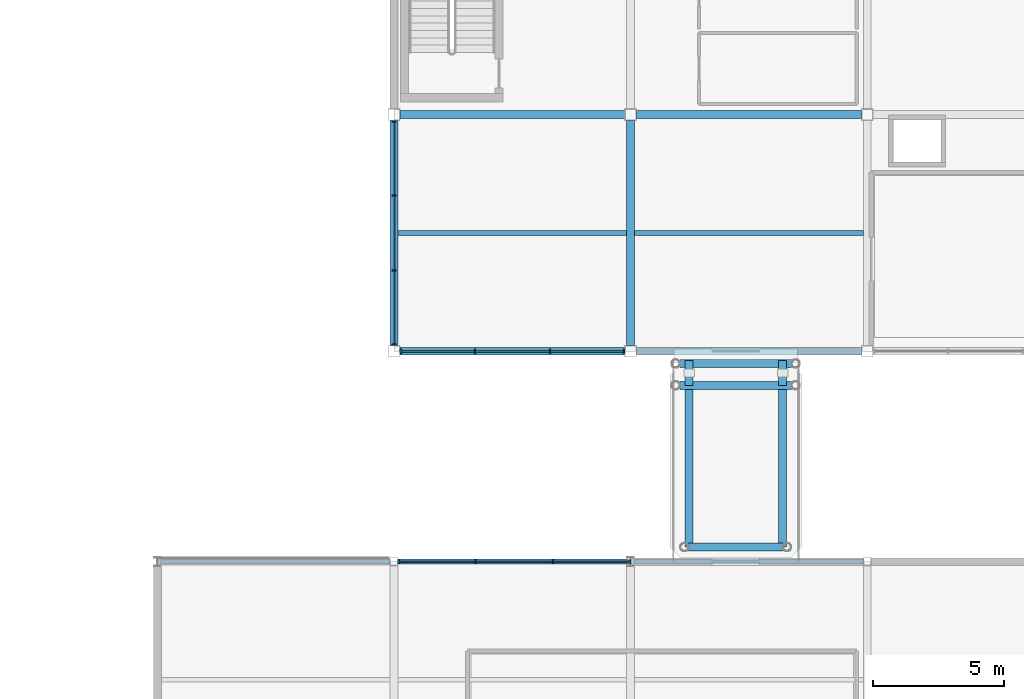
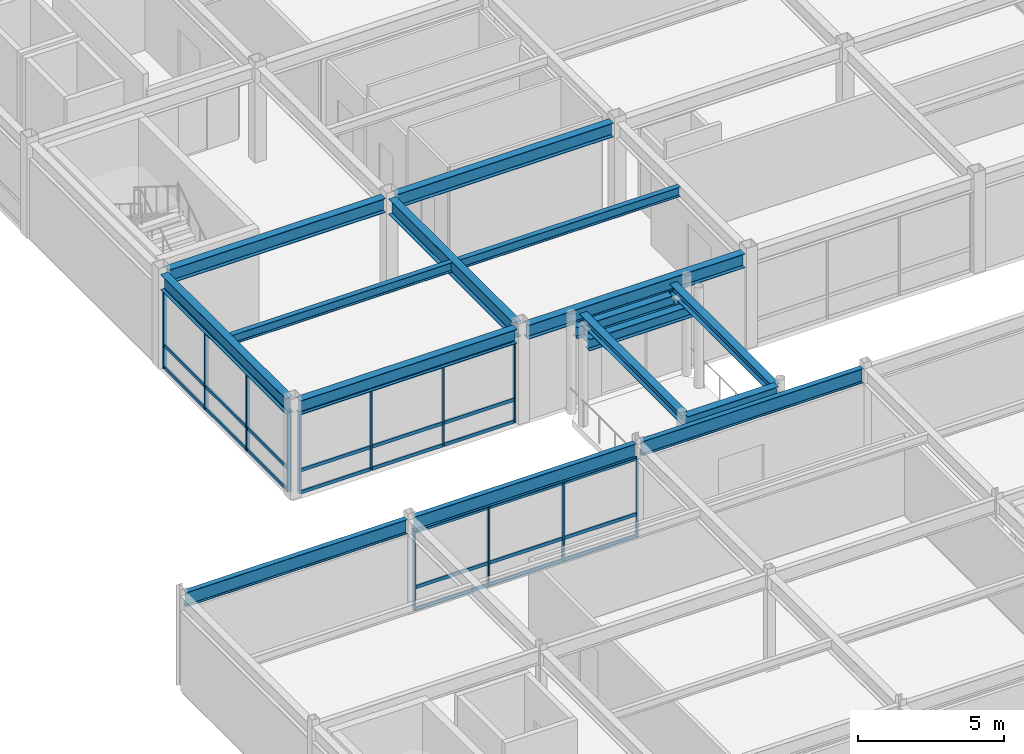
# One storey, part 55 of 108: 39 members, 18 beams, 3 elements without a shape of their own.
"""IFC4 building model written with IfcOpenShell, lengths in metres."""

from ifc_helpers import new_model, si_unit, direction, frame, origin, origin_2d, place, context, subcontext, project, spatial, rectangle, i_section, extrude, material, material_profile, profile_set, type_object, element, aggregate, save


model = new_model("IFC4")

# Units and contexts
model_context = context("Model", 3, precision=1e-05, world=origin(), true_north=direction((0.0, 1.0)))
body_context = subcontext(model_context, "Body", "Model", "MODEL_VIEW")
ifc_project = project(units=[si_unit("LENGTHUNIT", "METRE"), si_unit("AREAUNIT", "SQUARE_METRE"), si_unit("VOLUMEUNIT", "CUBIC_METRE"), si_unit("PLANEANGLEUNIT", "RADIAN"), si_unit("MASSUNIT", "GRAM", prefix="KILO")], contexts=[model_context])

# Site, building, storey
site_placement = place(None, origin())
site = spatial("IfcSite", under=ifc_project, at=site_placement, CompositionType="ELEMENT")
building_placement = place(site_placement, origin())
building = spatial("IfcBuilding", under=site, at=building_placement, Name="Suzunagisa Mobility Hub", CompositionType="ELEMENT")
storey_placement = place(building_placement, frame((0.0, 0.0, 9.300048828125)))
storey = spatial("IfcBuildingStorey", under=building, at=storey_placement, Name="L02", CompositionType="ELEMENT", Elevation=9.300048828125)

# Curtain wall, members
ifc_material_1 = material(Name="Thermally Broken Anodized Aluminum and Low-E Glazing", Category="aluminium")
curtain_wall_type_1 = type_object("IfcCurtainWallType", Name="Unitised Curtain Wall CW-12 8750x3300", PredefinedType="USERDEFINED", material=ifc_material_1)
curtain_wall_1_placement = place(storey_placement, origin())
curtain_wall_1 = element("IfcCurtainWall", 1, at=curtain_wall_1_placement, inside=storey, type_object=curtain_wall_type_1, Name="L02 Unitised Curtain Wall CW-161", ObjectType="UNITISED CURTAIN WALL", PredefinedType="USERDEFINED")
ifc_material_2 = material(Name="Anodized Aluminum 6063-T6", Category="aluminium")
ifc_material_profile_1 = material_profile(ifc_material_2, rectangle(XDim=0.06494140625, YDim=0.139892578125, at=origin_2d()), Name="TRAN-65x140")
ifc_profile_set_1 = profile_set([ifc_material_profile_1], Name="Anodized Aluminum 6063-T6")
member_type_1 = type_object("IfcMemberType", Name="Curtain Wall Framing CM-01 TRAN-65x140", PredefinedType="USERDEFINED", material=ifc_profile_set_1)
member_1_placement = place(storey_placement, frame((152.9375, 36.0, 0.032470703125), z_axis=(-1.0, 0.0, 0.0), x_axis=(0.0, -1.0, 0.0)))
member_1 = element("IfcMember", 2, at=member_1_placement, type_object=member_type_1, Name="Curtain Wall Transom 161-T1.1", ObjectType="TRANSOM", PredefinedType="USERDEFINED", context=body_context, shape_type="SweptSolid", body=[
    extrude(rectangle(XDim=0.06494140625, YDim=0.139892578125, at=origin_2d()), origin(), (0.0, 0.0, 1.0), 2.862548828125),
])
member_2_placement = place(storey_placement, frame((152.9375, 36.0, 0.949951171875), z_axis=(-1.0, 0.0, 0.0), x_axis=(0.0, -1.0, 0.0)))
member_2 = element("IfcMember", 3, at=member_2_placement, type_object=member_type_1, Name="Curtain Wall Transom 161-T1.2", ObjectType="TRANSOM", PredefinedType="USERDEFINED", context=body_context, shape_type="SweptSolid", body=[
    extrude(rectangle(XDim=0.06494140625, YDim=0.139892578125, at=origin_2d()), origin(), (0.0, 0.0, 1.0), 2.862548828125),
])
member_3_placement = place(storey_placement, frame((152.9375, 36.0, 3.267333984375), z_axis=(-1.0, 0.0, 0.0), x_axis=(0.0, -1.0, 0.0)))
member_3 = element("IfcMember", 4, at=member_3_placement, type_object=member_type_1, Name="Curtain Wall Transom 161-T1.3", ObjectType="TRANSOM", PredefinedType="USERDEFINED", context=body_context, shape_type="SweptSolid", body=[
    extrude(rectangle(XDim=0.06494140625, YDim=0.139892578125, at=origin_2d()), origin(), (0.0, 0.0, 1.0), 2.862548828125),
])
member_4_placement = place(storey_placement, frame((150.01904296875, 36.0, 0.032470703125), z_axis=(-1.0, 0.0, 0.0), x_axis=(0.0, -1.0, 0.0)))
member_4 = element("IfcMember", 5, at=member_4_placement, type_object=member_type_1, Name="Curtain Wall Transom 161-T2.1", ObjectType="TRANSOM", PredefinedType="USERDEFINED", context=body_context, shape_type="SweptSolid", body=[
    extrude(rectangle(XDim=0.06494140625, YDim=0.139892578125, at=origin_2d()), origin(), (0.0, 0.0, 1.0), 2.892578125),
])
member_5_placement = place(storey_placement, frame((150.01904296875, 36.0, 0.949951171875), z_axis=(-1.0, 0.0, 0.0), x_axis=(0.0, -1.0, 0.0)))
member_5 = element("IfcMember", 6, at=member_5_placement, type_object=member_type_1, Name="Curtain Wall Transom 161-T2.2", ObjectType="TRANSOM", PredefinedType="USERDEFINED", context=body_context, shape_type="SweptSolid", body=[
    extrude(rectangle(XDim=0.06494140625, YDim=0.139892578125, at=origin_2d()), origin(), (0.0, 0.0, 1.0), 2.892578125),
])
member_6_placement = place(storey_placement, frame((150.01904296875, 36.0, 3.267333984375), z_axis=(-1.0, 0.0, 0.0), x_axis=(0.0, -1.0, 0.0)))
member_6 = element("IfcMember", 7, at=member_6_placement, type_object=member_type_1, Name="Curtain Wall Transom 161-T2.3", ObjectType="TRANSOM", PredefinedType="USERDEFINED", context=body_context, shape_type="SweptSolid", body=[
    extrude(rectangle(XDim=0.06494140625, YDim=0.139892578125, at=origin_2d()), origin(), (0.0, 0.0, 1.0), 2.892578125),
])
member_7_placement = place(storey_placement, frame((147.070556640625, 36.0, 0.032470703125), z_axis=(-1.0, 0.0, 0.0), x_axis=(0.0, -1.0, 0.0)))
member_7 = element("IfcMember", 8, at=member_7_placement, type_object=member_type_1, Name="Curtain Wall Transom 161-T3.1", ObjectType="TRANSOM", PredefinedType="USERDEFINED", context=body_context, shape_type="SweptSolid", body=[
    extrude(rectangle(XDim=0.06494140625, YDim=0.139892578125, at=origin_2d()), origin(), (0.0, 0.0, 1.0), 2.862548828125),
])
member_8_placement = place(storey_placement, frame((147.070556640625, 36.0, 0.949951171875), z_axis=(-1.0, 0.0, 0.0), x_axis=(0.0, -1.0, 0.0)))
member_8 = element("IfcMember", 9, at=member_8_placement, type_object=member_type_1, Name="Curtain Wall Transom 161-T3.2", ObjectType="TRANSOM", PredefinedType="USERDEFINED", context=body_context, shape_type="SweptSolid", body=[
    extrude(rectangle(XDim=0.06494140625, YDim=0.139892578125, at=origin_2d()), origin(), (0.0, 0.0, 1.0), 2.862548828125),
])
member_9_placement = place(storey_placement, frame((147.070556640625, 36.0, 3.267333984375), z_axis=(-1.0, 0.0, 0.0), x_axis=(0.0, -1.0, 0.0)))
member_9 = element("IfcMember", 10, at=member_9_placement, type_object=member_type_1, Name="Curtain Wall Transom 161-T3.3", ObjectType="TRANSOM", PredefinedType="USERDEFINED", context=body_context, shape_type="SweptSolid", body=[
    extrude(rectangle(XDim=0.06494140625, YDim=0.139892578125, at=origin_2d()), origin(), (0.0, 0.0, 1.0), 2.862548828125),
])

curtain_wall_type_2 = type_object("IfcCurtainWallType", Name="Unitised Curtain Wall CW-29 8500x3400", PredefinedType="USERDEFINED", material=ifc_material_1)
curtain_wall_2_placement = place(storey_placement, origin())
curtain_wall_2 = element("IfcCurtainWall", 11, at=curtain_wall_2_placement, inside=storey, type_object=curtain_wall_type_2, Name="L02 Unitised Curtain Wall CW-196", ObjectType="UNITISED CURTAIN WALL", PredefinedType="USERDEFINED")
member_10_placement = place(storey_placement, frame((144.282958984375, 44.0, 0.032470703125), z_axis=(1.0, 0.0, 0.0), x_axis=(0.0, 1.0, 0.0)))
member_10 = element("IfcMember", 12, at=member_10_placement, type_object=member_type_1, Name="Curtain Wall Transom 196-T1.1", ObjectType="TRANSOM", PredefinedType="USERDEFINED", context=body_context, shape_type="SweptSolid", body=[
    extrude(rectangle(XDim=0.06494140625, YDim=0.139892578125, at=origin_2d()), origin(), (0.0, 0.0, 1.0), 2.76416015625),
])
member_11_placement = place(storey_placement, frame((144.282958984375, 44.0, 0.949951171875), z_axis=(1.0, 0.0, 0.0), x_axis=(0.0, 1.0, 0.0)))
member_11 = element("IfcMember", 13, at=member_11_placement, type_object=member_type_1, Name="Curtain Wall Transom 196-T1.2", ObjectType="TRANSOM", PredefinedType="USERDEFINED", context=body_context, shape_type="SweptSolid", body=[
    extrude(rectangle(XDim=0.06494140625, YDim=0.139892578125, at=origin_2d()), origin(), (0.0, 0.0, 1.0), 2.76416015625),
])
member_12_placement = place(storey_placement, frame((144.282958984375, 44.0, 3.329345703125), z_axis=(1.0, 0.0, 0.0), x_axis=(0.0, 1.0, 0.0)))
member_12 = element("IfcMember", 14, at=member_12_placement, type_object=member_type_1, Name="Curtain Wall Transom 196-T1.3", ObjectType="TRANSOM", PredefinedType="USERDEFINED", context=body_context, shape_type="SweptSolid", body=[
    extrude(rectangle(XDim=0.06494140625, YDim=0.139892578125, at=origin_2d()), origin(), (0.0, 0.0, 1.0), 2.76416015625),
])
member_13_placement = place(storey_placement, frame((147.10302734375, 44.0, 0.032470703125), z_axis=(1.0, 0.0, 0.0), x_axis=(0.0, 1.0, 0.0)))
member_13 = element("IfcMember", 15, at=member_13_placement, type_object=member_type_1, Name="Curtain Wall Transom 196-T2.1", ObjectType="TRANSOM", PredefinedType="USERDEFINED", context=body_context, shape_type="SweptSolid", body=[
    extrude(rectangle(XDim=0.06494140625, YDim=0.139892578125, at=origin_2d()), origin(), (0.0, 0.0, 1.0), 2.7939453125),
])
member_14_placement = place(storey_placement, frame((147.10302734375, 44.0, 0.949951171875), z_axis=(1.0, 0.0, 0.0), x_axis=(0.0, 1.0, 0.0)))
member_14 = element("IfcMember", 16, at=member_14_placement, type_object=member_type_1, Name="Curtain Wall Transom 196-T2.2", ObjectType="TRANSOM", PredefinedType="USERDEFINED", context=body_context, shape_type="SweptSolid", body=[
    extrude(rectangle(XDim=0.06494140625, YDim=0.139892578125, at=origin_2d()), origin(), (0.0, 0.0, 1.0), 2.7939453125),
])
member_15_placement = place(storey_placement, frame((147.10302734375, 44.0, 3.329345703125), z_axis=(1.0, 0.0, 0.0), x_axis=(0.0, 1.0, 0.0)))
member_15 = element("IfcMember", 17, at=member_15_placement, type_object=member_type_1, Name="Curtain Wall Transom 196-T2.3", ObjectType="TRANSOM", PredefinedType="USERDEFINED", context=body_context, shape_type="SweptSolid", body=[
    extrude(rectangle(XDim=0.06494140625, YDim=0.139892578125, at=origin_2d()), origin(), (0.0, 0.0, 1.0), 2.7939453125),
])
member_16_placement = place(storey_placement, frame((149.952880859375, 44.0, 0.032470703125), z_axis=(1.0, 0.0, 0.0), x_axis=(0.0, 1.0, 0.0)))
member_16 = element("IfcMember", 18, at=member_16_placement, type_object=member_type_1, Name="Curtain Wall Transom 196-T3.1", ObjectType="TRANSOM", PredefinedType="USERDEFINED", context=body_context, shape_type="SweptSolid", body=[
    extrude(rectangle(XDim=0.06494140625, YDim=0.139892578125, at=origin_2d()), origin(), (0.0, 0.0, 1.0), 2.76416015625),
])
member_17_placement = place(storey_placement, frame((149.952880859375, 44.0, 0.949951171875), z_axis=(1.0, 0.0, 0.0), x_axis=(0.0, 1.0, 0.0)))
member_17 = element("IfcMember", 19, at=member_17_placement, type_object=member_type_1, Name="Curtain Wall Transom 196-T3.2", ObjectType="TRANSOM", PredefinedType="USERDEFINED", context=body_context, shape_type="SweptSolid", body=[
    extrude(rectangle(XDim=0.06494140625, YDim=0.139892578125, at=origin_2d()), origin(), (0.0, 0.0, 1.0), 2.76416015625),
])
member_18_placement = place(storey_placement, frame((149.952880859375, 44.0, 3.329345703125), z_axis=(1.0, 0.0, 0.0), x_axis=(0.0, 1.0, 0.0)))
member_18 = element("IfcMember", 20, at=member_18_placement, type_object=member_type_1, Name="Curtain Wall Transom 196-T3.3", ObjectType="TRANSOM", PredefinedType="USERDEFINED", context=body_context, shape_type="SweptSolid", body=[
    extrude(rectangle(XDim=0.06494140625, YDim=0.139892578125, at=origin_2d()), origin(), (0.0, 0.0, 1.0), 2.76416015625),
])

curtain_wall_type_3 = type_object("IfcCurtainWallType", Name="Unitised Curtain Wall CW-43 8500x3300", PredefinedType="USERDEFINED", material=ifc_material_1)
curtain_wall_3_placement = place(storey_placement, origin())
curtain_wall_3 = element("IfcCurtainWall", 21, at=curtain_wall_3_placement, inside=storey, type_object=curtain_wall_type_3, Name="L02 Unitised Curtain Wall CW-203", ObjectType="UNITISED CURTAIN WALL", PredefinedType="USERDEFINED")
member_19_placement = place(storey_placement, frame((144.0, 52.717041015625, 0.032470703125), z_axis=(0.0, -1.0, 0.0), x_axis=(1.0, 0.0, 0.0)))
member_19 = element("IfcMember", 22, at=member_19_placement, type_object=member_type_1, Name="Curtain Wall Transom 203-T1.1", ObjectType="TRANSOM", PredefinedType="USERDEFINED", context=body_context, shape_type="SweptSolid", body=[
    extrude(rectangle(XDim=0.06494140625, YDim=0.139892578125, at=origin_2d()), origin(), (0.0, 0.0, 1.0), 2.76416015625),
])
member_20_placement = place(storey_placement, frame((144.0, 52.717041015625, 0.949951171875), z_axis=(0.0, -1.0, 0.0), x_axis=(1.0, 0.0, 0.0)))
member_20 = element("IfcMember", 23, at=member_20_placement, type_object=member_type_1, Name="Curtain Wall Transom 203-T1.2", ObjectType="TRANSOM", PredefinedType="USERDEFINED", context=body_context, shape_type="SweptSolid", body=[
    extrude(rectangle(XDim=0.06494140625, YDim=0.139892578125, at=origin_2d()), origin(), (0.0, 0.0, 1.0), 2.76416015625),
])
member_21_placement = place(storey_placement, frame((144.0, 52.717041015625, 3.267333984375), z_axis=(0.0, -1.0, 0.0), x_axis=(1.0, 0.0, 0.0)))
member_21 = element("IfcMember", 24, at=member_21_placement, type_object=member_type_1, Name="Curtain Wall Transom 203-T1.3", ObjectType="TRANSOM", PredefinedType="USERDEFINED", context=body_context, shape_type="SweptSolid", body=[
    extrude(rectangle(XDim=0.06494140625, YDim=0.139892578125, at=origin_2d()), origin(), (0.0, 0.0, 1.0), 2.76416015625),
])
member_22_placement = place(storey_placement, frame((144.0, 49.89697265625, 0.032470703125), z_axis=(0.0, -1.0, 0.0), x_axis=(1.0, 0.0, 0.0)))
member_22 = element("IfcMember", 25, at=member_22_placement, type_object=member_type_1, Name="Curtain Wall Transom 203-T2.1", ObjectType="TRANSOM", PredefinedType="USERDEFINED", context=body_context, shape_type="SweptSolid", body=[
    extrude(rectangle(XDim=0.06494140625, YDim=0.139892578125, at=origin_2d()), origin(), (0.0, 0.0, 1.0), 2.7939453125),
])
member_23_placement = place(storey_placement, frame((144.0, 49.89697265625, 0.949951171875), z_axis=(0.0, -1.0, 0.0), x_axis=(1.0, 0.0, 0.0)))
member_23 = element("IfcMember", 26, at=member_23_placement, type_object=member_type_1, Name="Curtain Wall Transom 203-T2.2", ObjectType="TRANSOM", PredefinedType="USERDEFINED", context=body_context, shape_type="SweptSolid", body=[
    extrude(rectangle(XDim=0.06494140625, YDim=0.139892578125, at=origin_2d()), origin(), (0.0, 0.0, 1.0), 2.7939453125),
])
member_24_placement = place(storey_placement, frame((144.0, 49.89697265625, 3.267333984375), z_axis=(0.0, -1.0, 0.0), x_axis=(1.0, 0.0, 0.0)))
member_24 = element("IfcMember", 27, at=member_24_placement, type_object=member_type_1, Name="Curtain Wall Transom 203-T2.3", ObjectType="TRANSOM", PredefinedType="USERDEFINED", context=body_context, shape_type="SweptSolid", body=[
    extrude(rectangle(XDim=0.06494140625, YDim=0.139892578125, at=origin_2d()), origin(), (0.0, 0.0, 1.0), 2.7939453125),
])
member_25_placement = place(storey_placement, frame((144.0, 47.047119140625, 0.032470703125), z_axis=(0.0, -1.0, 0.0), x_axis=(1.0, 0.0, 0.0)))
member_25 = element("IfcMember", 28, at=member_25_placement, type_object=member_type_1, Name="Curtain Wall Transom 203-T3.1", ObjectType="TRANSOM", PredefinedType="USERDEFINED", context=body_context, shape_type="SweptSolid", body=[
    extrude(rectangle(XDim=0.06494140625, YDim=0.139892578125, at=origin_2d()), origin(), (0.0, 0.0, 1.0), 2.76416015625),
])
member_26_placement = place(storey_placement, frame((144.0, 47.047119140625, 0.949951171875), z_axis=(0.0, -1.0, 0.0), x_axis=(1.0, 0.0, 0.0)))
member_26 = element("IfcMember", 29, at=member_26_placement, type_object=member_type_1, Name="Curtain Wall Transom 203-T3.2", ObjectType="TRANSOM", PredefinedType="USERDEFINED", context=body_context, shape_type="SweptSolid", body=[
    extrude(rectangle(XDim=0.06494140625, YDim=0.139892578125, at=origin_2d()), origin(), (0.0, 0.0, 1.0), 2.76416015625),
])
member_27_placement = place(storey_placement, frame((144.0, 47.047119140625, 3.267333984375), z_axis=(0.0, -1.0, 0.0), x_axis=(1.0, 0.0, 0.0)))
member_27 = element("IfcMember", 30, at=member_27_placement, type_object=member_type_1, Name="Curtain Wall Transom 203-T3.3", ObjectType="TRANSOM", PredefinedType="USERDEFINED", context=body_context, shape_type="SweptSolid", body=[
    extrude(rectangle(XDim=0.06494140625, YDim=0.139892578125, at=origin_2d()), origin(), (0.0, 0.0, 1.0), 2.76416015625),
])

# Member
ifc_material_profile_2 = material_profile(ifc_material_2, rectangle(XDim=0.06005859375, YDim=0.14990234375, at=origin_2d()), Name="MULL-60x150")
ifc_profile_set_2 = profile_set([ifc_material_profile_2], Name="Anodized Aluminum 6063-T6")
member_type_2 = type_object("IfcMemberType", Name="Curtain Wall Framing CM-03 MULL-60x150", PredefinedType="MULLION", material=ifc_profile_set_2)
member_28_placement = place(storey_placement, frame((152.965576171875, 36.0, 0.0), z_axis=(0.0, 0.0, 1.0), x_axis=(-1.0, 0.0, 0.0)))
member_28 = element("IfcMember", 31, at=member_28_placement, type_object=member_type_2, Name="Curtain Wall Mullion 161-M1", PredefinedType="MULLION", context=body_context, shape_type="SweptSolid", body=[
    extrude(rectangle(XDim=0.06005859375, YDim=0.14990234375, at=origin_2d()), origin(), (0.0, 0.0, 1.0), 3.300048828125),
])

member_29_placement = place(storey_placement, frame((150.047119140625, 36.0, 0.0), z_axis=(0.0, 0.0, 1.0), x_axis=(-1.0, 0.0, 0.0)))
member_29 = element("IfcMember", 32, at=member_29_placement, type_object=member_type_2, Name="Curtain Wall Mullion 161-M2", PredefinedType="MULLION", context=body_context, shape_type="SweptSolid", body=[
    extrude(rectangle(XDim=0.06005859375, YDim=0.14990234375, at=origin_2d()), origin(), (0.0, 0.0, 1.0), 3.300048828125),
])

member_30_placement = place(storey_placement, frame((147.098388671875, 36.0, 0.0), z_axis=(0.0, 0.0, 1.0), x_axis=(-1.0, 0.0, 0.0)))
member_30 = element("IfcMember", 33, at=member_30_placement, type_object=member_type_2, Name="Curtain Wall Mullion 161-M3", PredefinedType="MULLION", context=body_context, shape_type="SweptSolid", body=[
    extrude(rectangle(XDim=0.06005859375, YDim=0.14990234375, at=origin_2d()), origin(), (0.0, 0.0, 1.0), 3.300048828125),
])

member_31_placement = place(storey_placement, frame((144.179931640625, 36.0, 0.0), z_axis=(0.0, 0.0, 1.0), x_axis=(-1.0, 0.0, 0.0)))
member_31 = element("IfcMember", 34, at=member_31_placement, type_object=member_type_2, Name="Curtain Wall Mullion 161-M4", PredefinedType="MULLION", context=body_context, shape_type="SweptSolid", body=[
    extrude(rectangle(XDim=0.06005859375, YDim=0.14990234375, at=origin_2d()), origin(), (0.0, 0.0, 1.0), 3.300048828125),
])

aggregate(curtain_wall_1, [member_28, member_29, member_30, member_31, member_1, member_2, member_3, member_4, member_5, member_6, member_7, member_8, member_9])

member_32_placement = place(storey_placement, frame((144.2548828125, 44.0, 0.0), z_axis=(0.0, 0.0, 1.0), x_axis=(1.0, 0.0, 0.0)))
member_32 = element("IfcMember", 35, at=member_32_placement, type_object=member_type_2, Name="Curtain Wall Mullion 196-M1", PredefinedType="MULLION", context=body_context, shape_type="SweptSolid", body=[
    extrude(rectangle(XDim=0.06005859375, YDim=0.14990234375, at=origin_2d()), origin(), (0.0, 0.0, 1.0), 3.362060546875),
])

member_33_placement = place(storey_placement, frame((147.074951171875, 44.0, 0.0), z_axis=(0.0, 0.0, 1.0), x_axis=(1.0, 0.0, 0.0)))
member_33 = element("IfcMember", 36, at=member_33_placement, type_object=member_type_2, Name="Curtain Wall Mullion 196-M2", PredefinedType="MULLION", context=body_context, shape_type="SweptSolid", body=[
    extrude(rectangle(XDim=0.06005859375, YDim=0.14990234375, at=origin_2d()), origin(), (0.0, 0.0, 1.0), 3.362060546875),
])

member_34_placement = place(storey_placement, frame((149.925048828125, 44.0, 0.0), z_axis=(0.0, 0.0, 1.0), x_axis=(1.0, 0.0, 0.0)))
member_34 = element("IfcMember", 37, at=member_34_placement, type_object=member_type_2, Name="Curtain Wall Mullion 196-M3", PredefinedType="MULLION", context=body_context, shape_type="SweptSolid", body=[
    extrude(rectangle(XDim=0.06005859375, YDim=0.14990234375, at=origin_2d()), origin(), (0.0, 0.0, 1.0), 3.362060546875),
])

member_35_placement = place(storey_placement, frame((152.7451171875, 44.0, 0.0), z_axis=(0.0, 0.0, 1.0), x_axis=(1.0, 0.0, 0.0)))
member_35 = element("IfcMember", 38, at=member_35_placement, type_object=member_type_2, Name="Curtain Wall Mullion 196-M4", PredefinedType="MULLION", context=body_context, shape_type="SweptSolid", body=[
    extrude(rectangle(XDim=0.06005859375, YDim=0.14990234375, at=origin_2d()), origin(), (0.0, 0.0, 1.0), 3.362060546875),
])

aggregate(curtain_wall_2, [member_32, member_33, member_34, member_35, member_10, member_11, member_12, member_13, member_14, member_15, member_16, member_17, member_18])

member_36_placement = place(storey_placement, frame((144.0, 52.7451171875, 0.0), z_axis=(0.0, 0.0, 1.0), x_axis=(0.0, -1.0, 0.0)))
member_36 = element("IfcMember", 39, at=member_36_placement, type_object=member_type_2, Name="Curtain Wall Mullion 203-M1", PredefinedType="MULLION", context=body_context, shape_type="SweptSolid", body=[
    extrude(rectangle(XDim=0.06005859375, YDim=0.14990234375, at=origin_2d()), origin(), (0.0, 0.0, 1.0), 3.300048828125),
])

member_37_placement = place(storey_placement, frame((144.0, 49.925048828125, 0.0), z_axis=(0.0, 0.0, 1.0), x_axis=(0.0, -1.0, 0.0)))
member_37 = element("IfcMember", 40, at=member_37_placement, type_object=member_type_2, Name="Curtain Wall Mullion 203-M2", PredefinedType="MULLION", context=body_context, shape_type="SweptSolid", body=[
    extrude(rectangle(XDim=0.06005859375, YDim=0.14990234375, at=origin_2d()), origin(), (0.0, 0.0, 1.0), 3.300048828125),
])

member_38_placement = place(storey_placement, frame((144.0, 47.074951171875, 0.0), z_axis=(0.0, 0.0, 1.0), x_axis=(0.0, -1.0, 0.0)))
member_38 = element("IfcMember", 41, at=member_38_placement, type_object=member_type_2, Name="Curtain Wall Mullion 203-M3", PredefinedType="MULLION", context=body_context, shape_type="SweptSolid", body=[
    extrude(rectangle(XDim=0.06005859375, YDim=0.14990234375, at=origin_2d()), origin(), (0.0, 0.0, 1.0), 3.300048828125),
])

member_39_placement = place(storey_placement, frame((144.0, 44.2548828125, 0.0), z_axis=(0.0, 0.0, 1.0), x_axis=(0.0, -1.0, 0.0)))
member_39 = element("IfcMember", 42, at=member_39_placement, type_object=member_type_2, Name="Curtain Wall Mullion 203-M4", PredefinedType="MULLION", context=body_context, shape_type="SweptSolid", body=[
    extrude(rectangle(XDim=0.06005859375, YDim=0.14990234375, at=origin_2d()), origin(), (0.0, 0.0, 1.0), 3.300048828125),
])

aggregate(curtain_wall_3, [member_36, member_37, member_38, member_39, member_19, member_20, member_21, member_22, member_23, member_24, member_25, member_26, member_27])

# Beams
ifc_material_3 = material(Name="Steel SN490B", Category="steel")
ifc_material_profile_3 = material_profile(ifc_material_3, i_section(OverallWidth=0.300048828125, OverallDepth=0.488037109375, WebThickness=0.010986328125, FlangeThickness=0.01806640625, FilletRadius=0.012939453125, at=origin_2d()), Name="H-488x300x11x18")
ifc_profile_set_3 = profile_set([ifc_material_profile_3], Name="Steel SN490B")
beam_type_1 = type_object("IfcBeamType", Name="Steel Beam BM-06 H-488x300x11x18", PredefinedType="BEAM", material=ifc_profile_set_3)
beam_placement = place(storey_placement, frame((155.2099609375, 36.550048828125, 3.716064453125), z_axis=(1.0, 0.0, 0.0), x_axis=(0.0, 1.0, 0.0)))
element("IfcBeam", 43, at=beam_placement, inside=storey, type_object=beam_type_1, Name="L03 Skybridge Fixed Crosshead SB-05", PredefinedType="BEAM", context=body_context, shape_type="SweptSolid", body=[
    extrude(i_section(OverallWidth=0.300048828125, OverallDepth=0.488037109375, WebThickness=0.010986328125, FlangeThickness=0.01806640625, FilletRadius=0.012939453125, at=origin_2d()), origin(), (0.0, 0.0, 1.0), 3.580078125),
])
for number, where, z_axis, x_axis, name in (
    (44, (154.8798828125, 42.699951171875, 3.325927734375), (1.0, 0.0, 0.0), (0.0, 1.0, 0.0), "L03 Skybridge Seat Crosshead SB-05-S"),
    (45, (154.8798828125, 43.530029296875, 3.325927734375), (1.0, 0.0, 0.0), (0.0, 1.0, 0.0), "L03 Skybridge Seat Crosshead SB-05-N"),
):
    element("IfcBeam", number, at=place(storey_placement, frame(where, z_axis=z_axis, x_axis=x_axis)), inside=storey, type_object=beam_type_1, Name=name, PredefinedType="BEAM", context=body_context, shape_type="SweptSolid", body=[
        extrude(i_section(OverallWidth=0.300048828125, OverallDepth=0.488037109375, WebThickness=0.010986328125, FlangeThickness=0.01806640625, FilletRadius=0.012939453125, at=origin_2d()), origin(), (0.0, 0.0, 1.0), 4.240234375),
    ])
for number, where, z_axis, x_axis, name in (
    (46, (155.219970703125, 42.699951171875, 3.325927734375), (0.0, 1.0, 0.0), (-1.0, 0.0, 0.0), "L03 Skybridge 950mm Bearing Seat SB-05-A"),
    (47, (158.780029296875, 42.699951171875, 3.325927734375), (0.0, 1.0, 0.0), (-1.0, 0.0, 0.0), "L03 Skybridge 950mm Bearing Seat SB-05-B"),
):
    element("IfcBeam", number, at=place(storey_placement, frame(where, z_axis=z_axis, x_axis=x_axis)), inside=storey, type_object=beam_type_1, Name=name, PredefinedType="BEAM", context=body_context, shape_type="SweptSolid", body=[
        extrude(i_section(OverallWidth=0.300048828125, OverallDepth=0.488037109375, WebThickness=0.010986328125, FlangeThickness=0.01806640625, FilletRadius=0.012939453125, at=origin_2d()), origin(), (0.0, 0.0, 1.0), 0.949951171875),
    ])
ifc_material_profile_4 = material_profile(ifc_material_3, i_section(OverallWidth=0.199951171875, OverallDepth=0.60009765625, WebThickness=0.010986328125, FlangeThickness=0.01708984375, FilletRadius=0.012939453125, at=origin_2d()), Name="H-600x200x11x17")
ifc_profile_set_4 = profile_set([ifc_material_profile_4], Name="Steel SN490B")
beam_type_2 = type_object("IfcBeamType", Name="Steel Beam BM-07 H-600x200x11x17", PredefinedType="BEAM", material=ifc_profile_set_4)
for number, where, z_axis, x_axis, name in (
    (48, (135.12109375, 36.0, 3.64990234375), (1.0, 0.0, 0.0), (0.0, 1.0, 0.0), "L02 Primary Girder GX-1544"),
    (49, (144.14599609375, 36.0, 3.64990234375), (1.0, 0.0, 0.0), (0.0, 1.0, 0.0), "L02 Primary Girder GX-1545"),
    (50, (153.12109375, 36.0, 3.64990234375), (1.0, 0.0, 0.0), (0.0, 1.0, 0.0), "L02 Primary Girder GX-1546"),
):
    element("IfcBeam", number, at=place(storey_placement, frame(where, z_axis=z_axis, x_axis=x_axis)), inside=storey, type_object=beam_type_2, Name=name, PredefinedType="BEAM", context=body_context, shape_type="SweptSolid", body=[
        extrude(i_section(OverallWidth=0.199951171875, OverallDepth=0.60009765625, WebThickness=0.010986328125, FlangeThickness=0.01708984375, FilletRadius=0.012939453125, at=origin_2d()), origin(), (0.0, 0.0, 1.0), 8.73291015625),
    ])
ifc_material_profile_5 = material_profile(ifc_material_3, i_section(OverallWidth=0.300048828125, OverallDepth=0.64990234375, WebThickness=0.012939453125, FlangeThickness=0.02197265625, FilletRadius=0.01611328125, at=origin_2d()), Name="H-650x300x13x22")
ifc_profile_set_5 = profile_set([ifc_material_profile_5], Name="Steel SN490B")
beam_type_3 = type_object("IfcBeamType", Name="Steel Beam BM-10 H-650x300x13x22", PredefinedType="BEAM", material=ifc_profile_set_5)
for number, where, z_axis, x_axis, name in (
    (51, (144.0, 44.220947265625, 3.625), (0.0, 1.0, 0.0), (-1.0, 0.0, 0.0), "L02 Primary Girder GY-1912"),
    (52, (153.0, 44.220947265625, 3.625), (0.0, 1.0, 0.0), (-1.0, 0.0, 0.0), "L02 Primary Girder GY-1918"),
):
    element("IfcBeam", number, at=place(storey_placement, frame(where, z_axis=z_axis, x_axis=x_axis)), inside=storey, type_object=beam_type_3, Name=name, PredefinedType="BEAM", context=body_context, shape_type="SweptSolid", body=[
        extrude(i_section(OverallWidth=0.300048828125, OverallDepth=0.64990234375, WebThickness=0.012939453125, FlangeThickness=0.02197265625, FilletRadius=0.01611328125, at=origin_2d()), origin(), (0.0, 0.0, 1.0), 8.55810546875),
    ])
ifc_material_4 = material(Name="Steel SN400B", Category="steel")
ifc_material_profile_6 = material_profile(ifc_material_4, i_section(OverallWidth=0.199951171875, OverallDepth=0.39990234375, WebThickness=0.008056640625, FlangeThickness=0.012939453125, FilletRadius=0.012939453125, at=origin_2d()), Name="H-400x200x8x13")
ifc_profile_set_6 = profile_set([ifc_material_profile_6], Name="Steel SN400B")
beam_type_4 = type_object("IfcBeamType", Name="Steel Beam BM-14 H-400x200x8x13", PredefinedType="JOIST", material=ifc_profile_set_6)
for number, where, z_axis, x_axis, name in (
    (53, (144.14990234375, 48.5, 3.75), (1.0, 0.0, 0.0), (0.0, 1.0, 0.0), "L02 Composite Floor Joist J-1942"),
    (54, (153.14990234375, 48.5, 3.75), (1.0, 0.0, 0.0), (0.0, 1.0, 0.0), "L02 Composite Floor Joist J-1945"),
):
    element("IfcBeam", number, at=place(storey_placement, frame(where, z_axis=z_axis, x_axis=x_axis)), inside=storey, type_object=beam_type_4, Name=name, PredefinedType="JOIST", context=body_context, shape_type="SweptSolid", body=[
        extrude(i_section(OverallWidth=0.199951171875, OverallDepth=0.39990234375, WebThickness=0.008056640625, FlangeThickness=0.012939453125, FilletRadius=0.012939453125, at=origin_2d()), origin(), (0.0, 0.0, 1.0), 8.7001953125),
    ])
ifc_material_profile_7 = material_profile(ifc_material_3, i_section(OverallWidth=0.300048828125, OverallDepth=0.587890625, WebThickness=0.011962890625, FlangeThickness=0.02001953125, FilletRadius=0.012939453125, at=origin_2d()), Name="H-588x300x12x20")
ifc_profile_set_7 = profile_set([ifc_material_profile_7], Name="Steel SN490B")
beam_type_5 = type_object("IfcBeamType", Name="Steel Beam BM-16 H-588x300x12x20", PredefinedType="BEAM", material=ifc_profile_set_7)
for number, where, z_axis, x_axis, name in (
    (55, (144.220947265625, 44.0, 3.656005859375), (1.0, 0.0, 0.0), (0.0, 1.0, 0.0), "L02 Primary Girder GX-1884"),
    (56, (153.220947265625, 44.0, 3.656005859375), (1.0, 0.0, 0.0), (0.0, 1.0, 0.0), "L02 Primary Girder GX-1885"),
    (57, (144.220947265625, 53.0, 3.656005859375), (1.0, 0.0, 0.0), (0.0, 1.0, 0.0), "L02 Primary Girder GX-1888"),
    (58, (153.220947265625, 53.0, 3.656005859375), (1.0, 0.0, 0.0), (0.0, 1.0, 0.0), "L02 Primary Girder GX-1889"),
):
    element("IfcBeam", number, at=place(storey_placement, frame(where, z_axis=z_axis, x_axis=x_axis)), inside=storey, type_object=beam_type_5, Name=name, PredefinedType="BEAM", context=body_context, shape_type="SweptSolid", body=[
        extrude(i_section(OverallWidth=0.300048828125, OverallDepth=0.587890625, WebThickness=0.011962890625, FlangeThickness=0.02001953125, FilletRadius=0.012939453125, at=origin_2d()), origin(), (0.0, 0.0, 1.0), 8.55810546875),
    ])
ifc_material_profile_8 = material_profile(ifc_material_3, i_section(OverallWidth=0.300048828125, OverallDepth=0.389892578125, WebThickness=0.010009765625, FlangeThickness=0.01611328125, FilletRadius=0.012939453125, at=origin_2d()), Name="H-390x300x10x16")
ifc_profile_set_8 = profile_set([ifc_material_profile_8], Name="Steel SN490B")
beam_type_6 = type_object("IfcBeamType", Name="Steel Beam BM-17 H-390x300x10x16", PredefinedType="T_BEAM", material=ifc_profile_set_8)
for number, where, z_axis, x_axis, name in (
    (59, (155.219970703125, 36.550048828125, 3.764892578125), (0.0, 1.0, 0.0), (-1.0, 0.0, 0.0), "L03 Bridge Girder SB-05-A"),
    (60, (158.780029296875, 36.550048828125, 3.764892578125), (0.0, 1.0, 0.0), (-1.0, 0.0, 0.0), "L03 Bridge Girder SB-05-B"),
):
    element("IfcBeam", number, at=place(storey_placement, frame(where, z_axis=z_axis, x_axis=x_axis)), inside=storey, type_object=beam_type_6, Name=name, PredefinedType="T_BEAM", context=body_context, shape_type="SweptSolid", body=[
        extrude(i_section(OverallWidth=0.300048828125, OverallDepth=0.389892578125, WebThickness=0.010009765625, FlangeThickness=0.01611328125, FilletRadius=0.012939453125, at=origin_2d()), origin(), (0.0, 0.0, 1.0), 7.02001953125),
    ])

save(model, "model.ifc")
